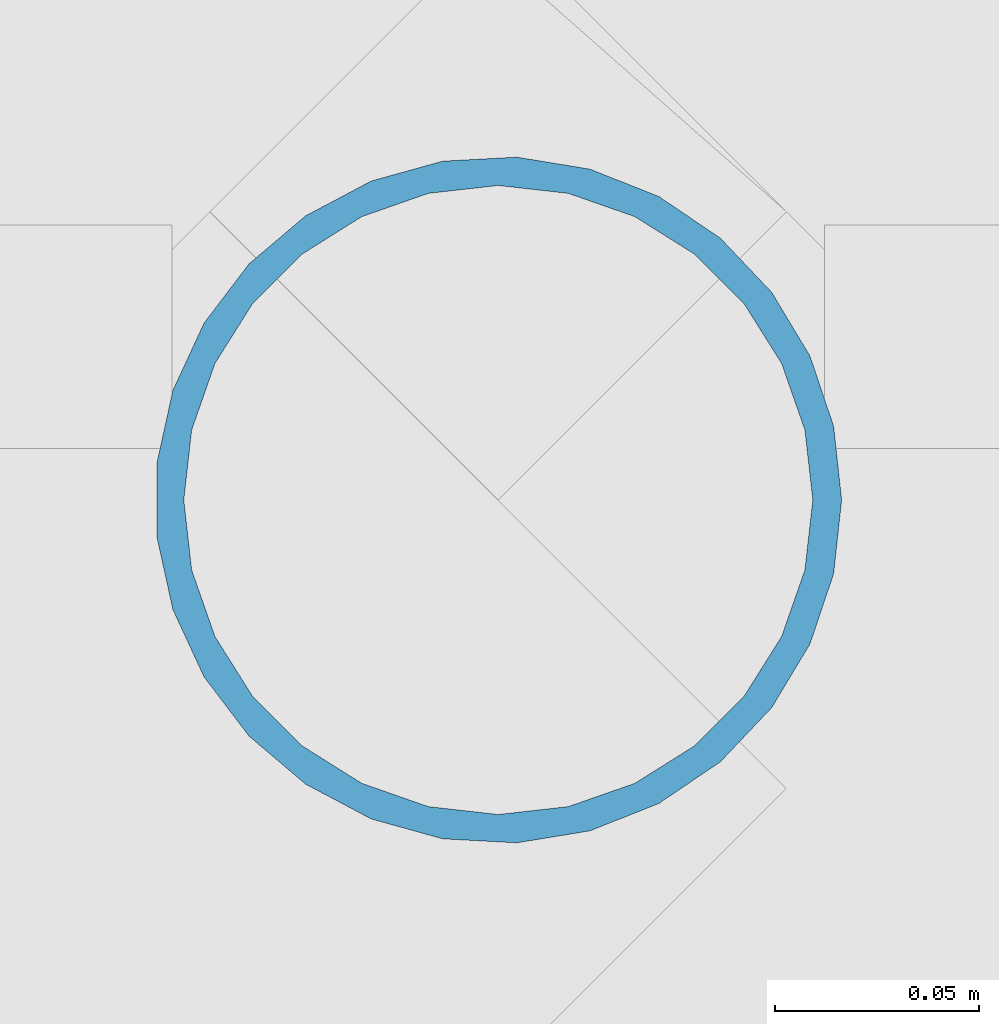
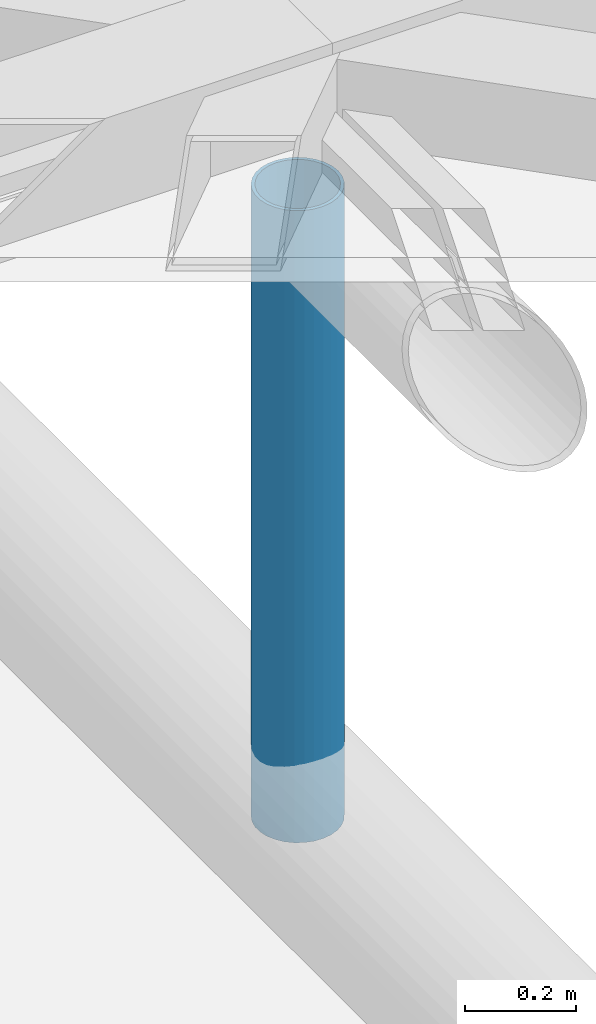
# One storey, part 38 of 80: 1 member.
"""IFC4 building model written with IfcOpenShell, lengths in metres."""

from ifc_helpers import new_model, si_unit, direction, frame, origin, origin_2d, place, context, subcontext, project, spatial, hollow_circle, extrude, material, material_profile, profile_set, type_object, element, save


model = new_model("IFC4")

# Units and contexts
model_context = context("Model", 3, precision=1e-05, world=origin(), true_north=direction((0.0, 1.0)))
body_context = subcontext(model_context, "Body", "Model", "MODEL_VIEW")
ifc_project = project(units=[si_unit("LENGTHUNIT", "METRE"), si_unit("AREAUNIT", "SQUARE_METRE"), si_unit("VOLUMEUNIT", "CUBIC_METRE"), si_unit("PLANEANGLEUNIT", "RADIAN"), si_unit("MASSUNIT", "GRAM", prefix="KILO"), si_unit("THERMODYNAMICTEMPERATUREUNIT", "KELVIN"), si_unit("POWERUNIT", "WATT")], contexts=[model_context])

# Site, building, storey
site_placement = place(None, origin())
site = spatial("IfcSite", under=ifc_project, at=site_placement, CompositionType="ELEMENT")
building_placement = place(site_placement, origin())
building = spatial("IfcBuilding", under=site, at=building_placement, Name="Tallowbark Science Centre", CompositionType="ELEMENT")
storey_placement = place(building_placement, frame((0.0, 0.0, 25.949951171875)))
storey = spatial("IfcBuildingStorey", under=building, at=storey_placement, Name="ROOF", CompositionType="ELEMENT", Elevation=25.949951171875)

# Member
ifc_material = material(Name="White Architectural Painted Steel Grade C350L0 (350 MPa)", Category="steel")
ifc_material_profile = material_profile(ifc_material, hollow_circle(Radius=0.084228515625, WallThickness=0.007080078125, at=origin_2d()), Name="168.3x7.1CHS")
ifc_profile_set = profile_set([ifc_material_profile], Name="White Architectural Painted Steel Grade C350L0 (350 MPa)")
member_type = type_object("IfcMemberType", Name="TR-WEB168", PredefinedType="BRACE", material=ifc_profile_set)
member_placement = place(storey_placement, frame((85.5, 22.5, -1.199951171875), z_axis=(0.0, 0.0, 1.0), x_axis=(1.0, 0.0, 0.0)))
element("IfcMember", 1, at=member_placement, inside=storey, type_object=member_type, Name="Exhibition Roof Truss Web 7-22.5", PredefinedType="BRACE", context=body_context, shape_type="SweptSolid", body=[
    extrude(hollow_circle(Radius=0.084228515625, WallThickness=0.007080078125, at=origin_2d()), origin(), (0.0, 0.0, 1.0), 1.389892578125),
])

save(model, "model.ifc")
